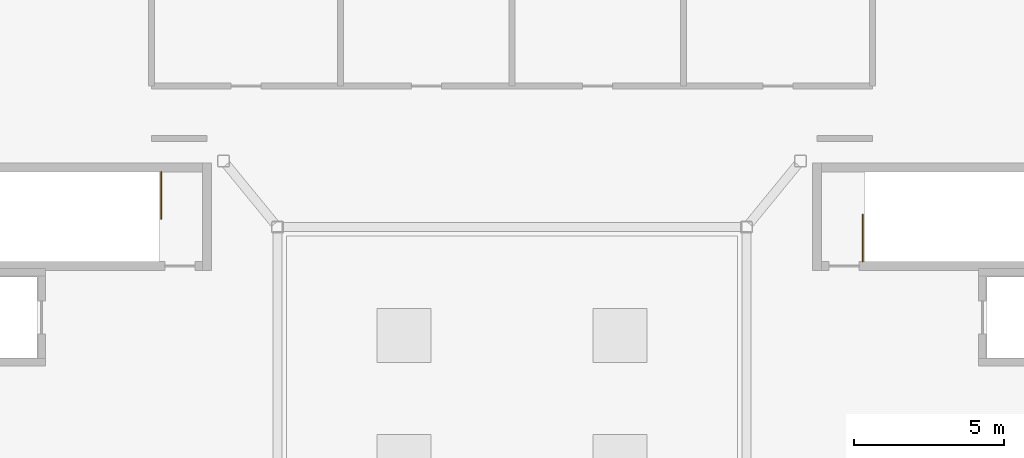
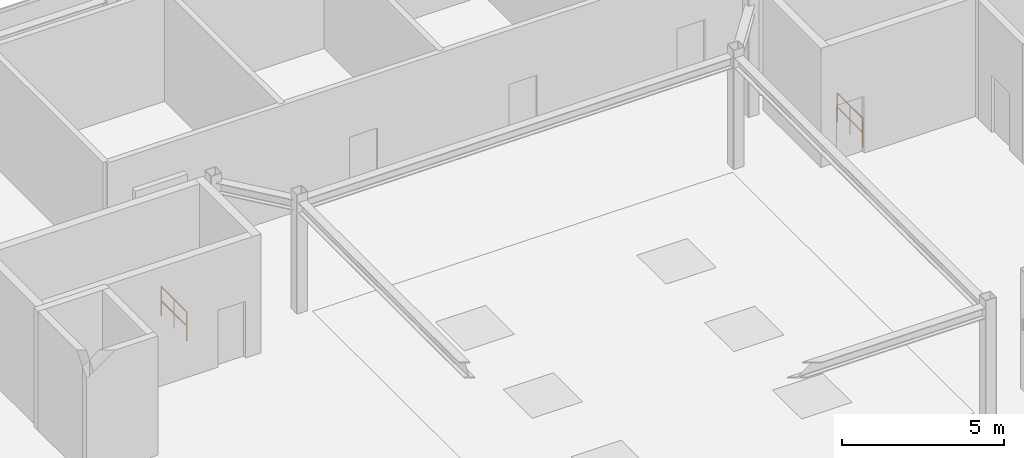
# One storey, part 18 of 18: 2 railings.
"""IFC4 building model written with IfcOpenShell, lengths in metres."""

from ifc_helpers import new_model, si_unit, direction, frame, origin, origin_2d, place, context, subcontext, project, spatial, circle, extrude, material, type_object, element, save


model = new_model("IFC4")

# Units and contexts
model_context = context("Model", 3, precision=1e-05, world=origin(), true_north=direction((0.0, 1.0)))
body_context = subcontext(model_context, "Body", "Model", "MODEL_VIEW")
ifc_project = project(units=[si_unit("LENGTHUNIT", "METRE"), si_unit("AREAUNIT", "SQUARE_METRE"), si_unit("VOLUMEUNIT", "CUBIC_METRE"), si_unit("PLANEANGLEUNIT", "RADIAN"), si_unit("MASSUNIT", "GRAM", prefix="KILO")], contexts=[model_context])

# Site, building, storey
site_placement = place(None, origin())
site = spatial("IfcSite", under=ifc_project, at=site_placement, CompositionType="ELEMENT")
building_placement = place(site_placement, origin())
building = spatial("IfcBuilding", under=site, at=building_placement, Name="Tarnavaz Court Tower", CompositionType="ELEMENT")
storey_placement = place(building_placement, frame((0.0, 0.0, 281.550048828125)))
storey = spatial("IfcBuildingStorey", under=building, at=storey_placement, Name="C01", CompositionType="ELEMENT", Elevation=281.550048828125)

# Railings
ifc_material = material(Name="Galvanized Painted Tubular Steel", Category="steel")
railing_type = type_object("IfcRailingType", Name="RL-STGUARD-1120", PredefinedType="GUARDRAIL", material=ifc_material)
railing_1_placement = place(storey_placement, frame((-11.669921875, 9.639892578125, 0.0)))
element("IfcRailing", 1, at=railing_1_placement, inside=storey, type_object=railing_type, Name="C01 ST-W1 top well guard 1", PredefinedType="GUARDRAIL", context=body_context, shape_type="SweptSolid", body=[
    extrude(circle(Radius=0.02392578125, at=origin_2d()), frame((0.0, 0.0, 1.09619140625), z_axis=(0.0, -1.0, 0.0), x_axis=(1.0, 0.0, 0.0)), (0.0, 0.0, 1.0), 1.56982421875),
    extrude(circle(Radius=0.02392578125, at=origin_2d()), frame((0.0, 0.0, 0.56005859375), z_axis=(0.0, -1.0, 0.0), x_axis=(1.0, 0.0, 0.0)), (0.0, 0.0, 1.0), 1.56982421875),
    extrude(circle(Radius=0.02099609375, at=origin_2d()), origin(), (0.0, 0.0, 1.0), 1.072021484375),
    extrude(circle(Radius=0.02099609375, at=origin_2d()), frame((0.0, -0.784912109375, 0.0)), (0.0, 0.0, 1.0), 1.072021484375),
    extrude(circle(Radius=0.02099609375, at=origin_2d()), frame((0.0, -1.56982421875, 0.0)), (0.0, 0.0, 1.0), 1.072021484375),
])
railing_2_placement = place(storey_placement, frame((11.669921875, 6.64990234375, 0.0)))
element("IfcRailing", 2, at=railing_2_placement, inside=storey, type_object=railing_type, Name="C01 ST-E1 top well guard 1", PredefinedType="GUARDRAIL", context=body_context, shape_type="SweptSolid", body=[
    extrude(circle(Radius=0.02392578125, at=origin_2d()), frame((0.0, 0.0, 1.09619140625), z_axis=(0.0, 1.0, 0.0), x_axis=(-1.0, 0.0, 0.0)), (0.0, 0.0, 1.0), 1.570068359375),
    extrude(circle(Radius=0.02392578125, at=origin_2d()), frame((0.0, 0.0, 0.56005859375), z_axis=(0.0, 1.0, 0.0), x_axis=(-1.0, 0.0, 0.0)), (0.0, 0.0, 1.0), 1.570068359375),
    extrude(circle(Radius=0.02099609375, at=origin_2d()), origin(), (0.0, 0.0, 1.0), 1.072021484375),
    extrude(circle(Radius=0.02099609375, at=origin_2d()), frame((0.0, 0.78515625, 0.0)), (0.0, 0.0, 1.0), 1.072021484375),
    extrude(circle(Radius=0.02099609375, at=origin_2d()), frame((0.0, 1.570068359375, 0.0)), (0.0, 0.0, 1.0), 1.072021484375),
])

save(model, "model.ifc")
